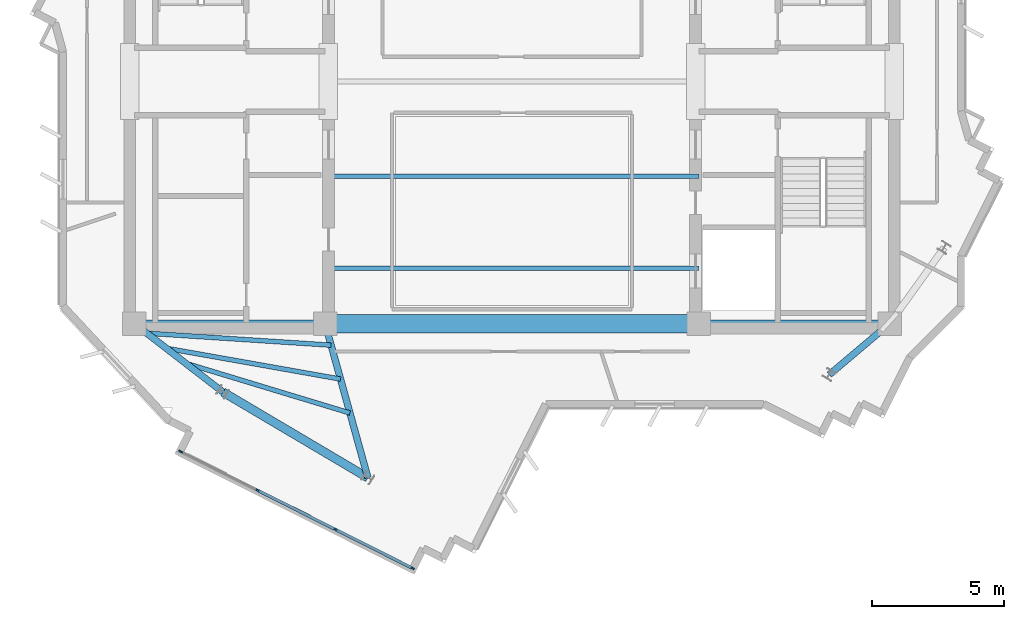
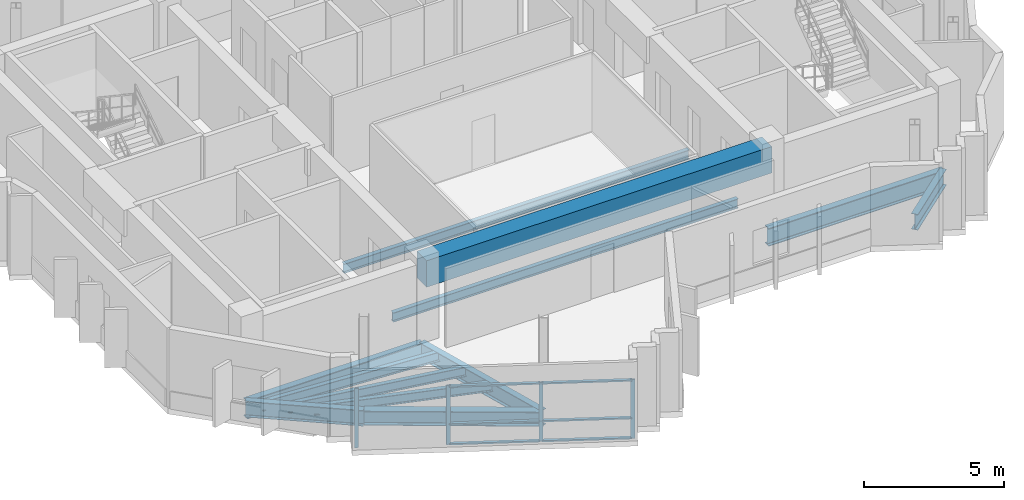
# One storey, part 2 of 11: 12 beams, 10 members, 1 element without a shape of its own.
"""IFC4 building model written with IfcOpenShell, lengths in metres."""

from ifc_helpers import new_model, si_unit, direction, frame, origin, origin_2d, place, context, subcontext, project, spatial, rectangle, i_section, extrude, source, transform, mapped, material, layer, layer_set, material_profile, profile_set, type_object, element, aggregate, save


model = new_model("IFC4")

# Units and contexts
model_context = context("Model", 3, precision=1e-05, world=origin(), true_north=direction((0.0, 1.0)))
body_context = subcontext(model_context, "Body", "Model", "MODEL_VIEW")
ifc_project = project(units=[si_unit("LENGTHUNIT", "METRE"), si_unit("AREAUNIT", "SQUARE_METRE"), si_unit("VOLUMEUNIT", "CUBIC_METRE"), si_unit("PLANEANGLEUNIT", "RADIAN"), si_unit("MASSUNIT", "GRAM", prefix="KILO")], contexts=[model_context])

# Site, building, storey
site_placement = place(None, origin())
site = spatial("IfcSite", under=ifc_project, at=site_placement, CompositionType="ELEMENT")
building_placement = place(site_placement, origin())
building = spatial("IfcBuilding", under=site, at=building_placement, Name="Zahravan Cultural Tower", CompositionType="ELEMENT")
storey_placement = place(building_placement, frame((0.0, 0.0, 357.300048828125)))
storey = spatial("IfcBuildingStorey", under=building, at=storey_placement, Name="L87", CompositionType="ELEMENT", Elevation=357.300048828125)

# Beams
ifc_material_1 = material(Name="Concrete C50/60", Category="concrete")
ifc_material_profile_1 = material_profile(ifc_material_1, rectangle(XDim=0.699951171875, YDim=1.14990234375, at=origin_2d()), Name="RC700X1150")
ifc_profile_set_1 = profile_set([ifc_material_profile_1], Name="Concrete C50/60")
beam_type_1 = type_object("IfcBeamType", Name="BM-LN-RC700X1150", PredefinedType="LINTEL", material=ifc_profile_set_1)
shared_shape_1 = source(origin(), body_context, "Body", "SweptSolid", [
    extrude(rectangle(XDim=0.699951171875, YDim=1.14990234375, at=origin_2d()), origin(), (0.0, 0.0, 1.0), 14.2001953125),
])
beam_1_placement = place(storey_placement, frame((28.89990234375, 17.800048828125, 2.875), z_axis=(1.0, 0.0, 0.0), x_axis=(0.0, 1.0, 0.0)))
element("IfcBeam", 1, at=beam_1_placement, inside=storey, type_object=beam_type_1, Name="L87 Beam LN-L87-S", PredefinedType="LINTEL", context=body_context, shape_type="MappedRepresentation", body=[
    mapped(shared_shape_1, transform((0.0, 0.0, 0.0), x_axis=(1.0, 0.0, 0.0), y_axis=(0.0, 1.0, 0.0), z_axis=(0.0, 0.0, 1.0), scale=1.0)),
])
ifc_material_2 = material(Name="Steel ASTM A992 Grade 50", Category="steel")
ifc_material_profile_2 = material_profile(ifc_material_2, i_section(OverallWidth=0.26611328125, OverallDepth=0.780029296875, WebThickness=0.0166015625, FlangeThickness=0.030029296875, FilletRadius=0.01904296875, at=origin_2d()), Name="W30X148")
ifc_profile_set_2 = profile_set([ifc_material_profile_2], Name="Steel ASTM A992 Grade 50")
beam_type_2 = type_object("IfcBeamType", Name="BM-G-W30X148", PredefinedType="BEAM", material=ifc_profile_set_2)
shared_shape_2 = source(origin(), body_context, "Body", "SweptSolid", [
    extrude(i_section(OverallWidth=0.26611328125, OverallDepth=0.780029296875, WebThickness=0.0166015625, FlangeThickness=0.030029296875, FilletRadius=0.01904296875, at=origin_2d()), origin(), (0.0, 0.0, 1.0), 7.25),
])
for number, where, z_axis, x_axis, name in (
    (2, (21.64990234375, 17.800048828125, -0.64013671875), (1.0, 0.0, 0.0), (0.0, 1.0, 0.0), "L87 Beam BG-L87-01"),
    (3, (43.10009765625, 17.800048828125, -0.64013671875), (1.0, 0.0, 0.0), (0.0, 1.0, 0.0), "L87 Beam BG-L87-04"),
):
    element("IfcBeam", number, at=place(storey_placement, frame(where, z_axis=z_axis, x_axis=x_axis)), inside=storey, type_object=beam_type_2, Name=name, PredefinedType="BEAM", context=body_context, shape_type="MappedRepresentation", body=[
        mapped(shared_shape_2, transform((0.0, 0.0, 0.0), x_axis=(1.0, 0.0, 0.0), y_axis=(0.0, 1.0, 0.0), z_axis=(0.0, 0.0, 1.0), scale=1.0)),
    ])
ifc_material_profile_3 = material_profile(ifc_material_2, i_section(OverallWidth=0.326904296875, OverallDepth=0.6220703125, WebThickness=0.015380859375, FlangeThickness=0.0244140625, FilletRadius=0.014892578125, at=origin_2d()), Name="W24X131")
ifc_profile_set_3 = profile_set([ifc_material_profile_3], Name="Steel ASTM A992 Grade 50")
beam_type_3 = type_object("IfcBeamType", Name="BM-SP-W24X131", PredefinedType="SPANDREL", material=ifc_profile_set_3)
shared_shape_3 = source(origin(), body_context, "Body", "SweptSolid", [
    extrude(i_section(OverallWidth=0.326904296875, OverallDepth=0.6220703125, WebThickness=0.015380859375, FlangeThickness=0.0244140625, FilletRadius=0.014892578125, at=origin_2d()), origin(), (0.0, 0.0, 1.0), 6.400634765625),
])
beam_2_placement = place(storey_placement, frame((25.01611328125, 15.2001953125, -0.56103515625), z_axis=(0.860706991833, -0.509100652337, 0.0), x_axis=(0.509100652337, 0.860706991833, 0.0)))
element("IfcBeam", 4, at=beam_2_placement, inside=storey, type_object=beam_type_3, Name="L87 Beam SP-L87-15", PredefinedType="SPANDREL", context=body_context, shape_type="MappedRepresentation", body=[
    mapped(shared_shape_3, transform((0.0, 0.0, 0.0), x_axis=(1.0, 0.0, 0.0), y_axis=(0.0, 1.0, 0.0), z_axis=(0.0, 0.0, 1.0), scale=1.0)),
])
ifc_material_profile_4 = material_profile(ifc_material_2, i_section(OverallWidth=0.177978515625, OverallDepth=0.406005859375, WebThickness=0.0078125, FlangeThickness=0.0126953125, FilletRadius=0.011962890625, at=origin_2d()), Name="W16X40")
ifc_profile_set_4 = profile_set([ifc_material_profile_4], Name="Steel ASTM A992 Grade 50")
beam_type_4 = type_object("IfcBeamType", Name="BM-J-W16X40", PredefinedType="JOIST", material=ifc_profile_set_4)
shared_shape_4 = source(origin(), body_context, "Body", "SweptSolid", [
    extrude(i_section(OverallWidth=0.177978515625, OverallDepth=0.406005859375, WebThickness=0.0078125, FlangeThickness=0.0126953125, FilletRadius=0.011962890625, at=origin_2d()), origin(), (0.0, 0.0, 1.0), 14.2001953125),
])
for number, where, z_axis, x_axis, name in (
    (5, (28.89990234375, 19.89990234375, -0.453125), (1.0, 0.0, 0.0), (0.0, 1.0, 0.0), "L87 Beam BJ-L87-20"),
    (6, (28.89990234375, 23.39990234375, -0.453125), (1.0, 0.0, 0.0), (0.0, 1.0, 0.0), "L87 Beam BJ-L87-21"),
):
    element("IfcBeam", number, at=place(storey_placement, frame(where, z_axis=z_axis, x_axis=x_axis)), inside=storey, type_object=beam_type_4, Name=name, PredefinedType="JOIST", context=body_context, shape_type="MappedRepresentation", body=[
        mapped(shared_shape_4, transform((0.0, 0.0, 0.0), x_axis=(1.0, 0.0, 0.0), y_axis=(0.0, 1.0, 0.0), z_axis=(0.0, 0.0, 1.0), scale=1.0)),
    ])
shared_shape_5 = source(origin(), body_context, "Body", "SweptSolid", [
    extrude(i_section(OverallWidth=0.177978515625, OverallDepth=0.406005859375, WebThickness=0.0078125, FlangeThickness=0.0126953125, FilletRadius=0.011962890625, at=origin_2d()), origin(), (0.0, 0.0, 1.0), 7.02099609375),
])
beam_3_placement = place(storey_placement, frame((22.121337890625, 17.43603515625, -0.453125), z_axis=(0.99788584579, -0.064991066863, 0.0), x_axis=(0.064991066863, 0.99788584579, 0.0)))
element("IfcBeam", 7, at=beam_3_placement, inside=storey, type_object=beam_type_4, Name="L87 Beam BJ-L87-24", PredefinedType="JOIST", context=body_context, shape_type="MappedRepresentation", body=[
    mapped(shared_shape_5, transform((0.0, 0.0, 0.0), x_axis=(1.0, 0.0, 0.0), y_axis=(0.0, 1.0, 0.0), z_axis=(0.0, 0.0, 1.0), scale=1.0)),
])
shared_shape_6 = source(origin(), body_context, "Body", "SweptSolid", [
    extrude(i_section(OverallWidth=0.177978515625, OverallDepth=0.406005859375, WebThickness=0.0078125, FlangeThickness=0.0126953125, FilletRadius=0.011962890625, at=origin_2d()), origin(), (0.0, 0.0, 1.0), 6.726318359375),
])
beam_4_placement = place(storey_placement, frame((22.86181640625, 16.864013671875, -0.453125), z_axis=(0.98467447748, -0.17440233198, 0.0), x_axis=(0.17440233198, 0.98467447748, 0.0)))
element("IfcBeam", 8, at=beam_4_placement, inside=storey, type_object=beam_type_4, Name="L87 Beam BJ-L87-26", PredefinedType="JOIST", context=body_context, shape_type="MappedRepresentation", body=[
    mapped(shared_shape_6, transform((0.0, 0.0, 0.0), x_axis=(1.0, 0.0, 0.0), y_axis=(0.0, 1.0, 0.0), z_axis=(0.0, 0.0, 1.0), scale=1.0)),
])
shared_shape_7 = source(origin(), body_context, "Body", "SweptSolid", [
    extrude(i_section(OverallWidth=0.177978515625, OverallDepth=0.406005859375, WebThickness=0.0078125, FlangeThickness=0.0126953125, FilletRadius=0.011962890625, at=origin_2d()), origin(), (0.0, 0.0, 1.0), 6.520263671875),
])
beam_5_placement = place(storey_placement, frame((23.602294921875, 16.292236328125, -0.453125), z_axis=(0.957060297679, -0.289888921151, 0.0), x_axis=(0.289888921151, 0.957060297679, 0.0)))
element("IfcBeam", 9, at=beam_5_placement, inside=storey, type_object=beam_type_4, Name="L87 Beam BJ-L87-28", PredefinedType="JOIST", context=body_context, shape_type="MappedRepresentation", body=[
    mapped(shared_shape_7, transform((0.0, 0.0, 0.0), x_axis=(1.0, 0.0, 0.0), y_axis=(0.0, 1.0, 0.0), z_axis=(0.0, 0.0, 1.0), scale=1.0)),
])
ifc_material_profile_5 = material_profile(ifc_material_2, i_section(OverallWidth=0.25390625, OverallDepth=0.68798828125, WebThickness=0.01318359375, FlangeThickness=0.02099609375, FilletRadius=0.01806640625, at=origin_2d()), Name="W27X102")
ifc_profile_set_5 = profile_set([ifc_material_profile_5], Name="Steel ASTM A992 Grade 50")
beam_type_5 = type_object("IfcBeamType", Name="BM-G-W27X102", PredefinedType="BEAM", material=ifc_profile_set_5)
shared_shape_8 = source(origin(), body_context, "Body", "SweptSolid", [
    extrude(i_section(OverallWidth=0.25390625, OverallDepth=0.68798828125, WebThickness=0.01318359375, FlangeThickness=0.02099609375, FilletRadius=0.01806640625, at=origin_2d()), origin(), (0.0, 0.0, 1.0), 4.25341796875),
])
beam_6_placement = place(storey_placement, frame((21.64990234375, 17.800048828125, -0.593994140625), z_axis=(0.791433936253, -0.611254713313, 0.0), x_axis=(0.611254713313, 0.791433936253, 0.0)))
element("IfcBeam", 10, at=beam_6_placement, inside=storey, type_object=beam_type_5, Name="L87 Beam BG-L87-07", PredefinedType="BEAM", context=body_context, shape_type="MappedRepresentation", body=[
    mapped(shared_shape_8, transform((0.0, 0.0, 0.0), x_axis=(1.0, 0.0, 0.0), y_axis=(0.0, 1.0, 0.0), z_axis=(0.0, 0.0, 1.0), scale=1.0)),
])
shared_shape_9 = source(origin(), body_context, "Body", "SweptSolid", [
    extrude(i_section(OverallWidth=0.25390625, OverallDepth=0.68798828125, WebThickness=0.01318359375, FlangeThickness=0.02099609375, FilletRadius=0.01806640625, at=origin_2d()), origin(), (0.0, 0.0, 1.0), 6.07958984375),
])
beam_7_placement = place(storey_placement, frame((28.89990234375, 17.800048828125, -0.593994140625), z_axis=(0.267324894686, -0.963606455292, 0.0), x_axis=(0.963606455292, 0.267324894686, 0.0)))
element("IfcBeam", 11, at=beam_7_placement, inside=storey, type_object=beam_type_5, Name="L87 Beam BG-L87-08", PredefinedType="BEAM", context=body_context, shape_type="MappedRepresentation", body=[
    mapped(shared_shape_9, transform((0.0, 0.0, 0.0), x_axis=(1.0, 0.0, 0.0), y_axis=(0.0, 1.0, 0.0), z_axis=(0.0, 0.0, 1.0), scale=1.0)),
])
shared_shape_10 = source(origin(), body_context, "Body", "SweptSolid", [
    extrude(i_section(OverallWidth=0.25390625, OverallDepth=0.68798828125, WebThickness=0.01318359375, FlangeThickness=0.02099609375, FilletRadius=0.01806640625, at=origin_2d()), origin(), (0.0, 0.0, 1.0), 3.00537109375),
])
beam_8_placement = place(storey_placement, frame((50.35009765625, 17.800048828125, -0.593994140625), z_axis=(-0.763546494847, -0.645752855361, 0.0), x_axis=(0.645752855361, -0.763546494847, 0.0)))
element("IfcBeam", 12, at=beam_8_placement, inside=storey, type_object=beam_type_5, Name="L87 Beam BG-L87-09", PredefinedType="BEAM", context=body_context, shape_type="MappedRepresentation", body=[
    mapped(shared_shape_10, transform((0.0, 0.0, 0.0), x_axis=(1.0, 0.0, 0.0), y_axis=(0.0, 1.0, 0.0), z_axis=(0.0, 0.0, 1.0), scale=1.0)),
])

# Curtain wall, members
ifc_material_3 = material(Name="Anodised bronze-aluminium mullion", Category="aluminium")
ifc_layer = layer(ifc_material_3, 0.14990234375)
ifc_layer_set = layer_set([ifc_layer], Name="Anodised bronze-aluminium mullion")
curtain_wall_type = type_object("IfcCurtainWallType", Name="CW-SYS-6", PredefinedType="USERDEFINED", material=ifc_layer_set)
curtain_wall_placement = place(storey_placement, origin())
curtain_wall = element("IfcCurtainWall", 13, at=curtain_wall_placement, inside=storey, type_object=curtain_wall_type, Name="L87 Recessed Curtain Wall CW-6.2", ObjectType="OBSERVATORY LANTERN", PredefinedType="USERDEFINED")
ifc_material_profile_6 = material_profile(ifc_material_3, rectangle(XDim=0.1201171875, YDim=0.06005859375, at=origin_2d()), Name="AL-T60X120")
ifc_profile_set_6 = profile_set([ifc_material_profile_6], Name="Anodised bronze-aluminium mullion")
member_type_1 = type_object("IfcMemberType", Name="CWT-CW-6", PredefinedType="USERDEFINED", material=ifc_profile_set_6)
shared_shape_11 = source(origin(), body_context, "Body", "SweptSolid", [
    extrude(rectangle(XDim=0.1201171875, YDim=0.06005859375, at=origin_2d()), origin(), (0.0, 0.0, 1.0), 3.216796875),
])
member_1_placement = place(storey_placement, frame((32.19091796875, 8.521240234375, 0.030029296875), z_axis=(-0.893377366752, 0.449307111645, 0.0), x_axis=(-0.449307111645, -0.893377366752, 0.0)))
member_1 = element("IfcMember", 14, at=member_1_placement, type_object=member_type_1, Name="CW-6 transom 1.1", ObjectType="TRANSOM", PredefinedType="USERDEFINED", context=body_context, shape_type="MappedRepresentation", body=[
    mapped(shared_shape_11, transform((0.0, 0.0, 0.0), x_axis=(1.0, 0.0, 0.0), y_axis=(0.0, 1.0, 0.0), z_axis=(0.0, 0.0, 1.0), scale=1.0)),
])
member_2_placement = place(storey_placement, frame((32.19091796875, 8.521240234375, 0.89990234375), z_axis=(-0.893377366752, 0.449307111645, 0.0), x_axis=(-0.449307111645, -0.893377366752, 0.0)))
member_2 = element("IfcMember", 15, at=member_2_placement, type_object=member_type_1, Name="CW-6 transom 1.2", ObjectType="TRANSOM", PredefinedType="USERDEFINED", context=body_context, shape_type="MappedRepresentation", body=[
    mapped(shared_shape_11, transform((0.0, 0.0, 0.0), x_axis=(1.0, 0.0, 0.0), y_axis=(0.0, 1.0, 0.0), z_axis=(0.0, 0.0, 1.0), scale=1.0)),
])
member_3_placement = place(storey_placement, frame((32.19091796875, 8.521240234375, 2.5400390625), z_axis=(-0.893377366752, 0.449307111645, 0.0), x_axis=(-0.449307111645, -0.893377366752, 0.0)))
member_3 = element("IfcMember", 16, at=member_3_placement, type_object=member_type_1, Name="CW-6 transom 1.3", ObjectType="TRANSOM", PredefinedType="USERDEFINED", context=body_context, shape_type="MappedRepresentation", body=[
    mapped(shared_shape_11, transform((0.0, 0.0, 0.0), x_axis=(1.0, 0.0, 0.0), y_axis=(0.0, 1.0, 0.0), z_axis=(0.0, 0.0, 1.0), scale=1.0)),
])
shared_shape_12 = source(origin(), body_context, "Body", "SweptSolid", [
    extrude(rectangle(XDim=0.1201171875, YDim=0.06005859375, at=origin_2d()), origin(), (0.0, 0.0, 1.0), 3.24658203125),
])
member_4_placement = place(storey_placement, frame((29.263671875, 9.993408203125, 0.030029296875), z_axis=(-0.8933719174, 0.449317946672, 0.0), x_axis=(-0.449317946672, -0.8933719174, 0.0)))
member_4 = element("IfcMember", 17, at=member_4_placement, type_object=member_type_1, Name="CW-6 transom 2.1", ObjectType="TRANSOM", PredefinedType="USERDEFINED", context=body_context, shape_type="MappedRepresentation", body=[
    mapped(shared_shape_12, transform((0.0, 0.0, 0.0), x_axis=(1.0, 0.0, 0.0), y_axis=(0.0, 1.0, 0.0), z_axis=(0.0, 0.0, 1.0), scale=1.0)),
])
member_5_placement = place(storey_placement, frame((29.263671875, 9.993408203125, 0.89990234375), z_axis=(-0.8933719174, 0.449317946672, 0.0), x_axis=(-0.449317946672, -0.8933719174, 0.0)))
member_5 = element("IfcMember", 18, at=member_5_placement, type_object=member_type_1, Name="CW-6 transom 2.2", ObjectType="TRANSOM", PredefinedType="USERDEFINED", context=body_context, shape_type="MappedRepresentation", body=[
    mapped(shared_shape_12, transform((0.0, 0.0, 0.0), x_axis=(1.0, 0.0, 0.0), y_axis=(0.0, 1.0, 0.0), z_axis=(0.0, 0.0, 1.0), scale=1.0)),
])
member_6_placement = place(storey_placement, frame((29.263671875, 9.993408203125, 2.5400390625), z_axis=(-0.8933719174, 0.449317946672, 0.0), x_axis=(-0.449317946672, -0.8933719174, 0.0)))
member_6 = element("IfcMember", 19, at=member_6_placement, type_object=member_type_1, Name="CW-6 transom 2.3", ObjectType="TRANSOM", PredefinedType="USERDEFINED", context=body_context, shape_type="MappedRepresentation", body=[
    mapped(shared_shape_12, transform((0.0, 0.0, 0.0), x_axis=(1.0, 0.0, 0.0), y_axis=(0.0, 1.0, 0.0), z_axis=(0.0, 0.0, 1.0), scale=1.0)),
])
ifc_material_profile_7 = material_profile(ifc_material_3, rectangle(XDim=0.06005859375, YDim=0.14990234375, at=origin_2d()), Name="AL-M60X150")
ifc_profile_set_7 = profile_set([ifc_material_profile_7], Name="Anodised bronze-aluminium mullion")
member_type_2 = type_object("IfcMemberType", Name="CWM-CW-6", PredefinedType="MULLION", material=ifc_profile_set_7)
shared_shape_13 = source(origin(), body_context, "Body", "SweptSolid", [
    extrude(rectangle(XDim=0.06005859375, YDim=0.14990234375, at=origin_2d()), origin(), (0.0, 0.0, 1.0), 2.570068359375),
])
member_7_placement = place(storey_placement, frame((32.2177734375, 8.507568359375, 0.0), z_axis=(0.0, 0.0, 1.0), x_axis=(-0.449317208482, -0.893372288669, 0.0)))
member_7 = element("IfcMember", 20, at=member_7_placement, type_object=member_type_2, Name="CW-6 mullion 1", PredefinedType="MULLION", context=body_context, shape_type="MappedRepresentation", body=[
    mapped(shared_shape_13, transform((0.0, 0.0, 0.0), x_axis=(1.0, 0.0, 0.0), y_axis=(0.0, 1.0, 0.0), z_axis=(0.0, 0.0, 1.0), scale=1.0)),
])
member_8_placement = place(storey_placement, frame((29.29052734375, 9.97998046875, 0.0), z_axis=(0.0, 0.0, 1.0), x_axis=(-0.449317208482, -0.893372288669, 0.0)))
member_8 = element("IfcMember", 21, at=member_8_placement, type_object=member_type_2, Name="CW-6 mullion 2", PredefinedType="MULLION", context=body_context, shape_type="MappedRepresentation", body=[
    mapped(shared_shape_13, transform((0.0, 0.0, 0.0), x_axis=(1.0, 0.0, 0.0), y_axis=(0.0, 1.0, 0.0), z_axis=(0.0, 0.0, 1.0), scale=1.0)),
])
member_9_placement = place(storey_placement, frame((26.33642578125, 11.465576171875, 0.0), z_axis=(0.0, 0.0, 1.0), x_axis=(-0.449317208482, -0.893372288669, 0.0)))
member_9 = element("IfcMember", 22, at=member_9_placement, type_object=member_type_2, Name="CW-6 mullion 3", PredefinedType="MULLION", context=body_context, shape_type="MappedRepresentation", body=[
    mapped(shared_shape_13, transform((0.0, 0.0, 0.0), x_axis=(1.0, 0.0, 0.0), y_axis=(0.0, 1.0, 0.0), z_axis=(0.0, 0.0, 1.0), scale=1.0)),
])
member_10_placement = place(storey_placement, frame((23.4091796875, 12.93798828125, 0.0), z_axis=(0.0, 0.0, 1.0), x_axis=(-0.449317208482, -0.893372288669, 0.0)))
member_10 = element("IfcMember", 23, at=member_10_placement, type_object=member_type_2, Name="CW-6 mullion 4", PredefinedType="MULLION", context=body_context, shape_type="MappedRepresentation", body=[
    mapped(shared_shape_13, transform((0.0, 0.0, 0.0), x_axis=(1.0, 0.0, 0.0), y_axis=(0.0, 1.0, 0.0), z_axis=(0.0, 0.0, 1.0), scale=1.0)),
])
aggregate(curtain_wall, [member_7, member_8, member_9, member_10, member_1, member_2, member_3, member_4, member_5, member_6])

save(model, "model.ifc")
